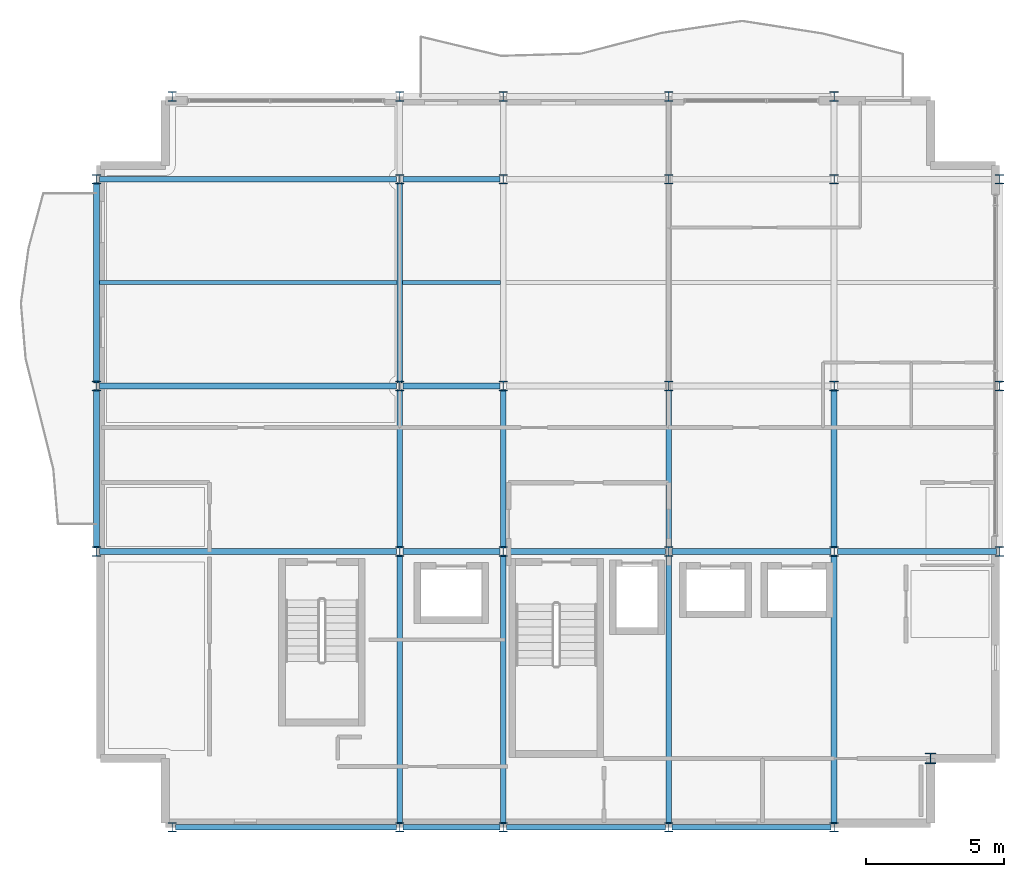
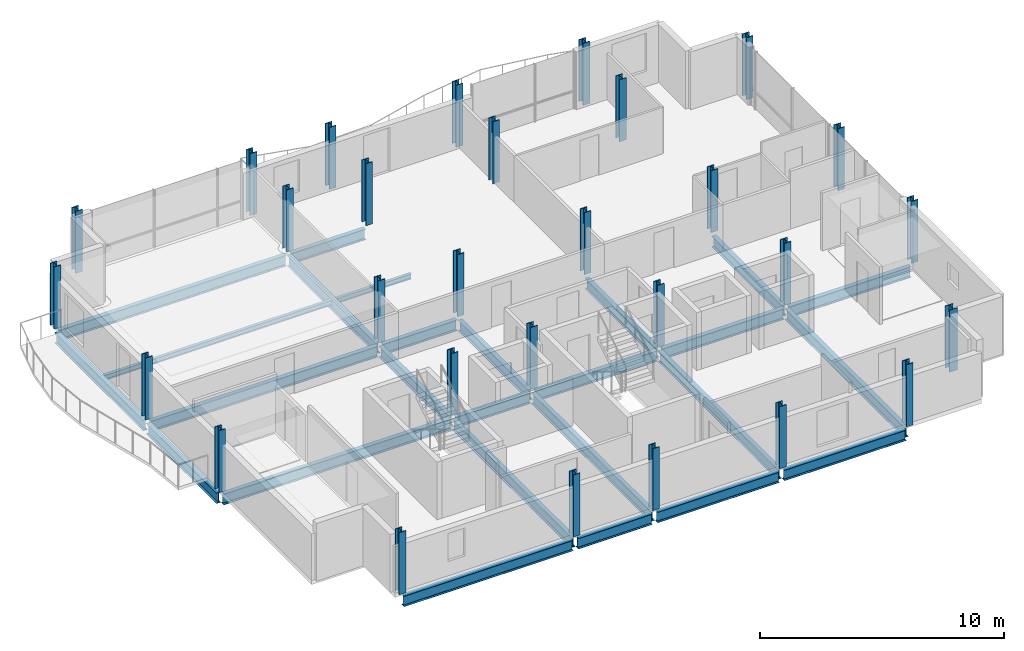
# One storey, part 1 of 12: 29 columns, 26 beams.
"""IFC4 building model written with IfcOpenShell, lengths in metres."""

from ifc_helpers import new_model, si_unit, direction, frame, origin, origin_2d, place, context, subcontext, project, spatial, i_section, extrude, material, material_profile, profile_set, type_object, element, save


model = new_model("IFC4")

# Units and contexts
model_context = context("Model", 3, precision=1e-05, world=origin(), true_north=direction((0.0, 1.0)))
body_context = subcontext(model_context, "Body", "Model", "MODEL_VIEW")
ifc_project = project(units=[si_unit("LENGTHUNIT", "METRE"), si_unit("AREAUNIT", "SQUARE_METRE"), si_unit("VOLUMEUNIT", "CUBIC_METRE"), si_unit("PLANEANGLEUNIT", "RADIAN"), si_unit("MASSUNIT", "GRAM", prefix="KILO")], contexts=[model_context])

# Site, building, storey
site_placement = place(None, origin())
site = spatial("IfcSite", under=ifc_project, at=site_placement, CompositionType="ELEMENT")
building_placement = place(site_placement, origin())
building = spatial("IfcBuilding", under=site, at=building_placement, Name="Brevholm Reach", CompositionType="ELEMENT")
storey_placement = place(building_placement, frame((0.0, 0.0, 233.5)))
storey = spatial("IfcBuildingStorey", under=building, at=storey_placement, Name="L71", CompositionType="ELEMENT", Elevation=233.5)

# Columns
ifc_material_1 = material(Name="Structural Steel S355J2", Category="steel")
ifc_material_profile_1 = material_profile(ifc_material_1, i_section(OverallWidth=0.374755859375, OverallDepth=0.37451171875, WebThickness=0.0166015625, FlangeThickness=0.027099609375, FilletRadius=0.01513671875, at=origin_2d()), Name="UKC 356x368x202")
ifc_profile_set_1 = profile_set([ifc_material_profile_1], Name="Structural Steel S355J2")
column_type_1 = type_object("IfcColumnType", Name="COL-UC6", PredefinedType="COLUMN", material=ifc_profile_set_1)
column_placement = place(storey_placement, frame((57.5, 2.5, 0.0), z_axis=(0.0, 0.0, 1.0), x_axis=(1.0, 0.0, 0.0)))
element("IfcColumn", 1, at=column_placement, inside=storey, type_object=column_type_1, Name="L71 Column 26", PredefinedType="COLUMN", context=body_context, shape_type="SweptSolid", body=[
    extrude(i_section(OverallWidth=0.374755859375, OverallDepth=0.37451171875, WebThickness=0.0166015625, FlangeThickness=0.027099609375, FilletRadius=0.01513671875, at=origin_2d()), origin(), (0.0, 0.0, 1.0), 3.10009765625),
])
ifc_material_2 = material(Name="Structural Steel S355J2", Category="steel")
ifc_material_profile_2 = material_profile(ifc_material_2, i_section(OverallWidth=0.318359375, OverallDepth=0.3525390625, WebThickness=0.02294921875, FlangeThickness=0.03759765625, FilletRadius=0.01513671875, at=origin_2d()), Name="UKC 305x305x240")
ifc_profile_set_2 = profile_set([ifc_material_profile_2], Name="Structural Steel S355J2")
column_type_2 = type_object("IfcColumnType", Name="COL-UC6B", PredefinedType="COLUMN", material=ifc_profile_set_2)
for number, where, z_axis, x_axis, name in (
    (2, (27.25, 10.0, 0.0), (0.0, 0.0, 1.0), (1.0, 0.0, 0.0), "L71 Column 01"),
    (3, (27.25, 16.0, 0.0), (0.0, 0.0, 1.0), (1.0, 0.0, 0.0), "L71 Column 02"),
    (4, (27.25, 23.5, 0.0), (0.0, 0.0, 1.0), (1.0, 0.0, 0.0), "L71 Column 03"),
    (5, (30.0, 0.0, 0.0), (0.0, 0.0, 1.0), (1.0, 0.0, 0.0), "L71 Column 04"),
    (6, (30.0, 26.5, 0.0), (0.0, 0.0, 1.0), (1.0, 0.0, 0.0), "L71 Column 05"),
    (7, (38.25, 0.0, 0.0), (0.0, 0.0, 1.0), (1.0, 0.0, 0.0), "L71 Column 06"),
    (8, (38.25, 10.0, 0.0), (0.0, 0.0, 1.0), (1.0, 0.0, 0.0), "L71 Column 07"),
    (9, (38.25, 16.0, 0.0), (0.0, 0.0, 1.0), (1.0, 0.0, 0.0), "L71 Column 08"),
    (10, (38.25, 23.5, 0.0), (0.0, 0.0, 1.0), (1.0, 0.0, 0.0), "L71 Column 09"),
    (11, (38.25, 26.5, 0.0), (0.0, 0.0, 1.0), (1.0, 0.0, 0.0), "L71 Column 10"),
    (12, (42.0, 0.0, 0.0), (0.0, 0.0, 1.0), (1.0, 0.0, 0.0), "L71 Column 11"),
    (13, (42.0, 10.0, 0.0), (0.0, 0.0, 1.0), (1.0, 0.0, 0.0), "L71 Column 12"),
    (14, (42.0, 16.0, 0.0), (0.0, 0.0, 1.0), (1.0, 0.0, 0.0), "L71 Column 13"),
    (15, (42.0, 23.5, 0.0), (0.0, 0.0, 1.0), (1.0, 0.0, 0.0), "L71 Column 14"),
    (16, (42.0, 26.5, 0.0), (0.0, 0.0, 1.0), (1.0, 0.0, 0.0), "L71 Column 15"),
    (17, (48.0, 0.0, 0.0), (0.0, 0.0, 1.0), (1.0, 0.0, 0.0), "L71 Column 16"),
    (18, (48.0, 10.0, 0.0), (0.0, 0.0, 1.0), (1.0, 0.0, 0.0), "L71 Column 17"),
    (19, (48.0, 16.0, 0.0), (0.0, 0.0, 1.0), (1.0, 0.0, 0.0), "L71 Column 18"),
    (20, (48.0, 23.5, 0.0), (0.0, 0.0, 1.0), (1.0, 0.0, 0.0), "L71 Column 19"),
    (21, (48.0, 26.5, 0.0), (0.0, 0.0, 1.0), (1.0, 0.0, 0.0), "L71 Column 20"),
    (22, (54.0, 0.0, 0.0), (0.0, 0.0, 1.0), (1.0, 0.0, 0.0), "L71 Column 21"),
    (23, (54.0, 10.0, 0.0), (0.0, 0.0, 1.0), (1.0, 0.0, 0.0), "L71 Column 22"),
    (24, (54.0, 16.0, 0.0), (0.0, 0.0, 1.0), (1.0, 0.0, 0.0), "L71 Column 23"),
    (25, (54.0, 23.5, 0.0), (0.0, 0.0, 1.0), (1.0, 0.0, 0.0), "L71 Column 24"),
    (26, (54.0, 26.5, 0.0), (0.0, 0.0, 1.0), (1.0, 0.0, 0.0), "L71 Column 25"),
    (27, (60.0, 10.0, 0.0), (0.0, 0.0, 1.0), (1.0, 0.0, 0.0), "L71 Column 27"),
    (28, (60.0, 16.0, 0.0), (0.0, 0.0, 1.0), (1.0, 0.0, 0.0), "L71 Column 28"),
    (29, (60.0, 23.5, 0.0), (0.0, 0.0, 1.0), (1.0, 0.0, 0.0), "L71 Column 29"),
):
    element("IfcColumn", number, at=place(storey_placement, frame(where, z_axis=z_axis, x_axis=x_axis)), inside=storey, type_object=column_type_2, Name=name, PredefinedType="COLUMN", context=body_context, shape_type="SweptSolid", body=[
        extrude(i_section(OverallWidth=0.318359375, OverallDepth=0.3525390625, WebThickness=0.02294921875, FlangeThickness=0.03759765625, FilletRadius=0.01513671875, at=origin_2d()), origin(), (0.0, 0.0, 1.0), 3.10009765625),
    ])

# Beams
ifc_material_3 = material(Name="Structural Steel S355J2", Category="steel")
ifc_material_profile_3 = material_profile(ifc_material_3, i_section(OverallWidth=0.14599609375, OverallDepth=0.25146484375, WebThickness=0.006103515625, FlangeThickness=0.008544921875, FilletRadius=0.007568359375, at=origin_2d()), Name="UKB 254x146x31")
ifc_profile_set_3 = profile_set([ifc_material_profile_3], Name="Structural Steel S355J2")
beam_type_1 = type_object("IfcBeamType", Name="BM-B254", PredefinedType="BEAM", material=ifc_profile_set_3)
beam_1_placement = place(storey_placement, frame((27.354736328125, 19.75, -0.335693359375), z_axis=(1.0, 0.0, 0.0), x_axis=(0.0, 1.0, 0.0)))
element("IfcBeam", 30, at=beam_1_placement, inside=storey, type_object=beam_type_1, Name="L71 Composite Secondary Floor Beam", PredefinedType="BEAM", context=body_context, shape_type="SweptSolid", body=[
    extrude(i_section(OverallWidth=0.14599609375, OverallDepth=0.25146484375, WebThickness=0.006103515625, FlangeThickness=0.008544921875, FilletRadius=0.007568359375, at=origin_2d()), origin(), (0.0, 0.0, 1.0), 10.789794921875),
])
beam_2_placement = place(storey_placement, frame((38.35546875, 19.75, -0.335693359375), z_axis=(1.0, 0.0, 0.0), x_axis=(0.0, 1.0, 0.0)))
element("IfcBeam", 31, at=beam_2_placement, inside=storey, type_object=beam_type_1, Name="L71 Composite Secondary Floor Beam", PredefinedType="BEAM", context=body_context, shape_type="SweptSolid", body=[
    extrude(i_section(OverallWidth=0.14599609375, OverallDepth=0.25146484375, WebThickness=0.006103515625, FlangeThickness=0.008544921875, FilletRadius=0.007568359375, at=origin_2d()), origin(), (0.0, 0.0, 1.0), 3.5390625),
])
ifc_material_4 = material(Name="Structural Steel S355J2", Category="steel")
ifc_material_profile_4 = material_profile(ifc_material_4, i_section(OverallWidth=0.209228515625, OverallDepth=0.533203125, WebThickness=0.010009765625, FlangeThickness=0.015625, FilletRadius=0.0126953125, at=origin_2d()), Name="UKB 533x210x92")
ifc_profile_set_4 = profile_set([ifc_material_profile_4], Name="Structural Steel S355J2")
beam_type_2 = type_object("IfcBeamType", Name="BM-SP533", PredefinedType="SPANDREL", material=ifc_profile_set_4)
beam_3_placement = place(storey_placement, frame((30.1201171875, 0.0, -0.4765625), z_axis=(1.0, 0.0, 0.0), x_axis=(0.0, 1.0, 0.0)))
element("IfcBeam", 32, at=beam_3_placement, inside=storey, type_object=beam_type_2, Name="L71 SP-02 Framing Beam", PredefinedType="SPANDREL", context=body_context, shape_type="SweptSolid", body=[
    extrude(i_section(OverallWidth=0.209228515625, OverallDepth=0.533203125, WebThickness=0.010009765625, FlangeThickness=0.015625, FilletRadius=0.0126953125, at=origin_2d()), origin(), (0.0, 0.0, 1.0), 8.009765625),
])
beam_4_placement = place(storey_placement, frame((38.3701171875, 0.0, -0.4765625), z_axis=(1.0, 0.0, 0.0), x_axis=(0.0, 1.0, 0.0)))
element("IfcBeam", 33, at=beam_4_placement, inside=storey, type_object=beam_type_2, Name="L71 SP-02 Framing Beam", PredefinedType="SPANDREL", context=body_context, shape_type="SweptSolid", body=[
    extrude(i_section(OverallWidth=0.209228515625, OverallDepth=0.533203125, WebThickness=0.010009765625, FlangeThickness=0.015625, FilletRadius=0.0126953125, at=origin_2d()), origin(), (0.0, 0.0, 1.0), 3.509765625),
])
for number, where, z_axis, x_axis, name in (
    (34, (42.1201171875, 0.0, -0.4765625), (1.0, 0.0, 0.0), (0.0, 1.0, 0.0), "L71 SP-02 Framing Beam"),
    (35, (48.1201171875, 0.0, -0.4765625), (1.0, 0.0, 0.0), (0.0, 1.0, 0.0), "L71 SP-02 Framing Beam"),
    (36, (27.25, 10.1201171875, -0.4765625), (0.0, 1.0, 0.0), (-1.0, 0.0, 0.0), "L71 SP-02 Framing Beam"),
):
    element("IfcBeam", number, at=place(storey_placement, frame(where, z_axis=z_axis, x_axis=x_axis)), inside=storey, type_object=beam_type_2, Name=name, PredefinedType="SPANDREL", context=body_context, shape_type="SweptSolid", body=[
        extrude(i_section(OverallWidth=0.209228515625, OverallDepth=0.533203125, WebThickness=0.010009765625, FlangeThickness=0.015625, FilletRadius=0.0126953125, at=origin_2d()), origin(), (0.0, 0.0, 1.0), 5.759765625),
    ])
beam_5_placement = place(storey_placement, frame((27.25, 16.1201171875, -0.4765625), z_axis=(0.0, 1.0, 0.0), x_axis=(-1.0, 0.0, 0.0)))
element("IfcBeam", 37, at=beam_5_placement, inside=storey, type_object=beam_type_2, Name="L71 SP-02 Framing Beam", PredefinedType="SPANDREL", context=body_context, shape_type="SweptSolid", body=[
    extrude(i_section(OverallWidth=0.209228515625, OverallDepth=0.533203125, WebThickness=0.010009765625, FlangeThickness=0.015625, FilletRadius=0.0126953125, at=origin_2d()), origin(), (0.0, 0.0, 1.0), 7.259765625),
])
ifc_material_5 = material(Name="Structural Steel S355J2", Category="steel")
ifc_material_profile_5 = material_profile(ifc_material_5, i_section(OverallWidth=0.210693359375, OverallDepth=0.53955078125, WebThickness=0.01171875, FlangeThickness=0.018798828125, FilletRadius=0.0126953125, at=origin_2d()), Name="UKB 533x210x109")
ifc_profile_set_5 = profile_set([ifc_material_profile_5], Name="Structural Steel S355J2")
beam_type_3 = type_object("IfcBeamType", Name="BM-SP539", PredefinedType="SPANDREL", material=ifc_profile_set_5)
beam_6_placement = place(storey_placement, frame((27.3701171875, 10.0, -0.479736328125), z_axis=(1.0, 0.0, 0.0), x_axis=(0.0, 1.0, 0.0)))
element("IfcBeam", 38, at=beam_6_placement, inside=storey, type_object=beam_type_3, Name="L71 SP-01B Framing Beam", PredefinedType="SPANDREL", context=body_context, shape_type="SweptSolid", body=[
    extrude(i_section(OverallWidth=0.210693359375, OverallDepth=0.53955078125, WebThickness=0.01171875, FlangeThickness=0.018798828125, FilletRadius=0.0126953125, at=origin_2d()), origin(), (0.0, 0.0, 1.0), 10.759765625),
])
beam_7_placement = place(storey_placement, frame((38.3701171875, 10.0, -0.479736328125), z_axis=(1.0, 0.0, 0.0), x_axis=(0.0, 1.0, 0.0)))
element("IfcBeam", 39, at=beam_7_placement, inside=storey, type_object=beam_type_3, Name="L71 SP-01B Framing Beam", PredefinedType="SPANDREL", context=body_context, shape_type="SweptSolid", body=[
    extrude(i_section(OverallWidth=0.210693359375, OverallDepth=0.53955078125, WebThickness=0.01171875, FlangeThickness=0.018798828125, FilletRadius=0.0126953125, at=origin_2d()), origin(), (0.0, 0.0, 1.0), 3.509765625),
])
for number, where, z_axis, x_axis, name in (
    (40, (42.1201171875, 10.0, -0.479736328125), (1.0, 0.0, 0.0), (0.0, 1.0, 0.0), "L71 SP-01B Framing Beam"),
    (41, (48.1201171875, 10.0, -0.479736328125), (1.0, 0.0, 0.0), (0.0, 1.0, 0.0), "L71 SP-01B Framing Beam"),
    (42, (54.1201171875, 10.0, -0.479736328125), (1.0, 0.0, 0.0), (0.0, 1.0, 0.0), "L71 SP-01B Framing Beam"),
):
    element("IfcBeam", number, at=place(storey_placement, frame(where, z_axis=z_axis, x_axis=x_axis)), inside=storey, type_object=beam_type_3, Name=name, PredefinedType="SPANDREL", context=body_context, shape_type="SweptSolid", body=[
        extrude(i_section(OverallWidth=0.210693359375, OverallDepth=0.53955078125, WebThickness=0.01171875, FlangeThickness=0.018798828125, FilletRadius=0.0126953125, at=origin_2d()), origin(), (0.0, 0.0, 1.0), 5.759765625),
    ])
beam_8_placement = place(storey_placement, frame((27.3701171875, 16.0, -0.479736328125), z_axis=(1.0, 0.0, 0.0), x_axis=(0.0, 1.0, 0.0)))
element("IfcBeam", 43, at=beam_8_placement, inside=storey, type_object=beam_type_3, Name="L71 SP-01B Framing Beam", PredefinedType="SPANDREL", context=body_context, shape_type="SweptSolid", body=[
    extrude(i_section(OverallWidth=0.210693359375, OverallDepth=0.53955078125, WebThickness=0.01171875, FlangeThickness=0.018798828125, FilletRadius=0.0126953125, at=origin_2d()), origin(), (0.0, 0.0, 1.0), 10.759765625),
])
beam_9_placement = place(storey_placement, frame((38.3701171875, 16.0, -0.479736328125), z_axis=(1.0, 0.0, 0.0), x_axis=(0.0, 1.0, 0.0)))
element("IfcBeam", 44, at=beam_9_placement, inside=storey, type_object=beam_type_3, Name="L71 SP-01B Framing Beam", PredefinedType="SPANDREL", context=body_context, shape_type="SweptSolid", body=[
    extrude(i_section(OverallWidth=0.210693359375, OverallDepth=0.53955078125, WebThickness=0.01171875, FlangeThickness=0.018798828125, FilletRadius=0.0126953125, at=origin_2d()), origin(), (0.0, 0.0, 1.0), 3.509765625),
])
beam_10_placement = place(storey_placement, frame((27.3701171875, 23.5, -0.479736328125), z_axis=(1.0, 0.0, 0.0), x_axis=(0.0, 1.0, 0.0)))
element("IfcBeam", 45, at=beam_10_placement, inside=storey, type_object=beam_type_3, Name="L71 SP-01B Framing Beam", PredefinedType="SPANDREL", context=body_context, shape_type="SweptSolid", body=[
    extrude(i_section(OverallWidth=0.210693359375, OverallDepth=0.53955078125, WebThickness=0.01171875, FlangeThickness=0.018798828125, FilletRadius=0.0126953125, at=origin_2d()), origin(), (0.0, 0.0, 1.0), 10.759765625),
])
beam_11_placement = place(storey_placement, frame((38.3701171875, 23.5, -0.479736328125), z_axis=(1.0, 0.0, 0.0), x_axis=(0.0, 1.0, 0.0)))
element("IfcBeam", 46, at=beam_11_placement, inside=storey, type_object=beam_type_3, Name="L71 SP-01B Framing Beam", PredefinedType="SPANDREL", context=body_context, shape_type="SweptSolid", body=[
    extrude(i_section(OverallWidth=0.210693359375, OverallDepth=0.53955078125, WebThickness=0.01171875, FlangeThickness=0.018798828125, FilletRadius=0.0126953125, at=origin_2d()), origin(), (0.0, 0.0, 1.0), 3.509765625),
])
beam_12_placement = place(storey_placement, frame((38.25, 0.1201171875, -0.479736328125), z_axis=(0.0, 1.0, 0.0), x_axis=(-1.0, 0.0, 0.0)))
element("IfcBeam", 47, at=beam_12_placement, inside=storey, type_object=beam_type_3, Name="L71 SP-01B Framing Beam", PredefinedType="SPANDREL", context=body_context, shape_type="SweptSolid", body=[
    extrude(i_section(OverallWidth=0.210693359375, OverallDepth=0.53955078125, WebThickness=0.01171875, FlangeThickness=0.018798828125, FilletRadius=0.0126953125, at=origin_2d()), origin(), (0.0, 0.0, 1.0), 9.759765625),
])
beam_13_placement = place(storey_placement, frame((38.25, 10.1201171875, -0.479736328125), z_axis=(0.0, 1.0, 0.0), x_axis=(-1.0, 0.0, 0.0)))
element("IfcBeam", 48, at=beam_13_placement, inside=storey, type_object=beam_type_3, Name="L71 SP-01B Framing Beam", PredefinedType="SPANDREL", context=body_context, shape_type="SweptSolid", body=[
    extrude(i_section(OverallWidth=0.210693359375, OverallDepth=0.53955078125, WebThickness=0.01171875, FlangeThickness=0.018798828125, FilletRadius=0.0126953125, at=origin_2d()), origin(), (0.0, 0.0, 1.0), 5.759765625),
])
beam_14_placement = place(storey_placement, frame((38.25, 16.1201171875, -0.479736328125), z_axis=(0.0, 1.0, 0.0), x_axis=(-1.0, 0.0, 0.0)))
element("IfcBeam", 49, at=beam_14_placement, inside=storey, type_object=beam_type_3, Name="L71 SP-01B Framing Beam", PredefinedType="SPANDREL", context=body_context, shape_type="SweptSolid", body=[
    extrude(i_section(OverallWidth=0.210693359375, OverallDepth=0.53955078125, WebThickness=0.01171875, FlangeThickness=0.018798828125, FilletRadius=0.0126953125, at=origin_2d()), origin(), (0.0, 0.0, 1.0), 7.259765625),
])
beam_15_placement = place(storey_placement, frame((42.0, 0.1201171875, -0.479736328125), z_axis=(0.0, 1.0, 0.0), x_axis=(-1.0, 0.0, 0.0)))
element("IfcBeam", 50, at=beam_15_placement, inside=storey, type_object=beam_type_3, Name="L71 SP-01B Framing Beam", PredefinedType="SPANDREL", context=body_context, shape_type="SweptSolid", body=[
    extrude(i_section(OverallWidth=0.210693359375, OverallDepth=0.53955078125, WebThickness=0.01171875, FlangeThickness=0.018798828125, FilletRadius=0.0126953125, at=origin_2d()), origin(), (0.0, 0.0, 1.0), 9.759765625),
])
beam_16_placement = place(storey_placement, frame((42.0, 10.1201171875, -0.479736328125), z_axis=(0.0, 1.0, 0.0), x_axis=(-1.0, 0.0, 0.0)))
element("IfcBeam", 51, at=beam_16_placement, inside=storey, type_object=beam_type_3, Name="L71 SP-01B Framing Beam", PredefinedType="SPANDREL", context=body_context, shape_type="SweptSolid", body=[
    extrude(i_section(OverallWidth=0.210693359375, OverallDepth=0.53955078125, WebThickness=0.01171875, FlangeThickness=0.018798828125, FilletRadius=0.0126953125, at=origin_2d()), origin(), (0.0, 0.0, 1.0), 5.759765625),
])
beam_17_placement = place(storey_placement, frame((48.0, 0.1201171875, -0.479736328125), z_axis=(0.0, 1.0, 0.0), x_axis=(-1.0, 0.0, 0.0)))
element("IfcBeam", 52, at=beam_17_placement, inside=storey, type_object=beam_type_3, Name="L71 SP-01B Framing Beam", PredefinedType="SPANDREL", context=body_context, shape_type="SweptSolid", body=[
    extrude(i_section(OverallWidth=0.210693359375, OverallDepth=0.53955078125, WebThickness=0.01171875, FlangeThickness=0.018798828125, FilletRadius=0.0126953125, at=origin_2d()), origin(), (0.0, 0.0, 1.0), 9.759765625),
])
beam_18_placement = place(storey_placement, frame((48.0, 10.1201171875, -0.479736328125), z_axis=(0.0, 1.0, 0.0), x_axis=(-1.0, 0.0, 0.0)))
element("IfcBeam", 53, at=beam_18_placement, inside=storey, type_object=beam_type_3, Name="L71 SP-01B Framing Beam", PredefinedType="SPANDREL", context=body_context, shape_type="SweptSolid", body=[
    extrude(i_section(OverallWidth=0.210693359375, OverallDepth=0.53955078125, WebThickness=0.01171875, FlangeThickness=0.018798828125, FilletRadius=0.0126953125, at=origin_2d()), origin(), (0.0, 0.0, 1.0), 5.759765625),
])
beam_19_placement = place(storey_placement, frame((54.0, 0.1201171875, -0.479736328125), z_axis=(0.0, 1.0, 0.0), x_axis=(-1.0, 0.0, 0.0)))
element("IfcBeam", 54, at=beam_19_placement, inside=storey, type_object=beam_type_3, Name="L71 SP-01B Framing Beam", PredefinedType="SPANDREL", context=body_context, shape_type="SweptSolid", body=[
    extrude(i_section(OverallWidth=0.210693359375, OverallDepth=0.53955078125, WebThickness=0.01171875, FlangeThickness=0.018798828125, FilletRadius=0.0126953125, at=origin_2d()), origin(), (0.0, 0.0, 1.0), 9.759765625),
])
beam_20_placement = place(storey_placement, frame((54.0, 10.1201171875, -0.479736328125), z_axis=(0.0, 1.0, 0.0), x_axis=(-1.0, 0.0, 0.0)))
element("IfcBeam", 55, at=beam_20_placement, inside=storey, type_object=beam_type_3, Name="L71 SP-01B Framing Beam", PredefinedType="SPANDREL", context=body_context, shape_type="SweptSolid", body=[
    extrude(i_section(OverallWidth=0.210693359375, OverallDepth=0.53955078125, WebThickness=0.01171875, FlangeThickness=0.018798828125, FilletRadius=0.0126953125, at=origin_2d()), origin(), (0.0, 0.0, 1.0), 5.759765625),
])

save(model, "model.ifc")
